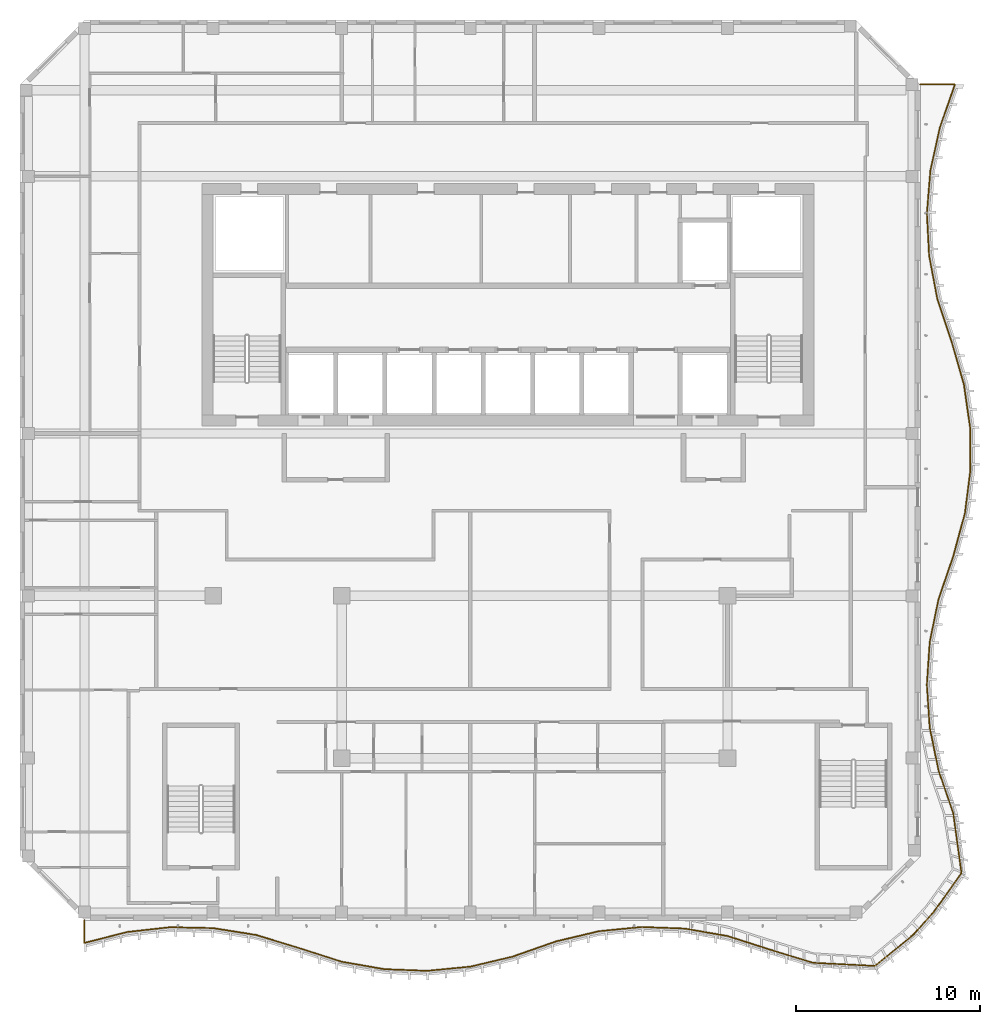
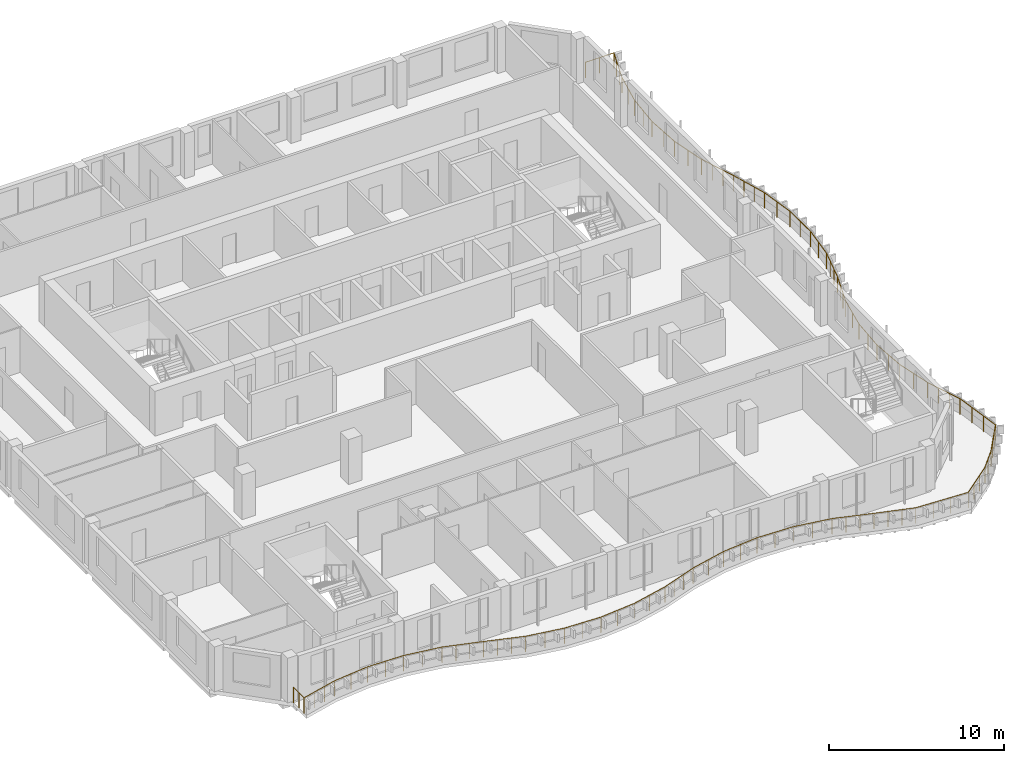
# One storey, part 14 of 16: 1 railing.
"""IFC4 building model written with IfcOpenShell, lengths in metres."""

from ifc_helpers import new_model, si_unit, direction, frame, origin, origin_2d, place, context, subcontext, project, spatial, circle, extrude, material, type_object, element, save


model = new_model("IFC4")

# Units and contexts
model_context = context("Model", 3, precision=1e-05, world=origin(), true_north=direction((0.0, 1.0)))
body_context = subcontext(model_context, "Body", "Model", "MODEL_VIEW")
ifc_project = project(units=[si_unit("LENGTHUNIT", "METRE"), si_unit("AREAUNIT", "SQUARE_METRE"), si_unit("VOLUMEUNIT", "CUBIC_METRE"), si_unit("PLANEANGLEUNIT", "RADIAN"), si_unit("MASSUNIT", "GRAM", prefix="KILO")], contexts=[model_context])

# Site, building, storey
site_placement = place(None, origin())
site = spatial("IfcSite", under=ifc_project, at=site_placement, CompositionType="ELEMENT")
building_placement = place(site_placement, origin())
building = spatial("IfcBuilding", under=site, at=building_placement, Name="Kilnfold Tower and Market Hall", CompositionType="ELEMENT")
storey_placement = place(building_placement, frame((0.0, 0.0, 284.0)))
storey = spatial("IfcBuildingStorey", under=building, at=storey_placement, Name="L70", CompositionType="ELEMENT", Elevation=284.0)

# Railing
ifc_material = material(Name="Stainless steel and laminated glass", Category="steel")
railing_type = type_object("IfcRailingType", Name="GUARD 1100", PredefinedType="GUARDRAIL", material=ifc_material)
railing_placement = place(storey_placement, frame((-22.0, -18.5, 0.0)))
element("IfcRailing", 1, at=railing_placement, inside=storey, type_object=railing_type, Name="Guard balcony L70", PredefinedType="GUARDRAIL", context=body_context, shape_type="SweptSolid", body=[
    extrude(circle(Radius=0.02490234375, at=origin_2d()), frame((0.0, 0.0, 1.0751953125), z_axis=(0.0, -1.0, 0.0), x_axis=(1.0, 0.0, 0.0)), (0.0, 0.0, 1.0), 1.22314453125),
    extrude(circle(Radius=0.02490234375, at=origin_2d()), frame((0.0, -1.22314453125, 1.0751953125), z_axis=(0.969210795342, 0.246232479972, 0.0), x_axis=(-0.246232479972, 0.969210795342, 0.0)), (0.0, 0.0, 1.0), 2.407470703125),
    extrude(circle(Radius=0.02490234375, at=origin_2d()), frame((2.333251953125, -0.63037109375, 1.0751953125), z_axis=(0.993711376548, 0.111971871997, 0.0), x_axis=(-0.111971871997, 0.993711376548, 0.0)), (0.0, 0.0, 1.0), 2.34814453125),
    extrude(circle(Radius=0.02490234375, at=origin_2d()), frame((4.666748046875, -0.367431640625, 1.0751953125), z_axis=(0.999751729978, -0.022281795384, 0.0), x_axis=(0.022281795384, 0.999751729978, 0.0)), (0.0, 0.0, 1.0), 2.333740234375),
    extrude(circle(Radius=0.02490234375, at=origin_2d()), frame((7.0, -0.41943359375, 1.0751953125), z_axis=(0.987667255848, -0.156567530879, 0.0), x_axis=(0.156567530879, 0.987667255848, 0.0)), (0.0, 0.0, 1.0), 2.3623046875),
    extrude(circle(Radius=0.02490234375, at=origin_2d()), frame((9.333251953125, -0.789306640625, 1.0751953125), z_axis=(0.956784132843, -0.290799111311, 0.0), x_axis=(0.290799111311, 0.956784132843, 0.0)), (0.0, 0.0, 1.0), 2.43896484375),
    extrude(circle(Radius=0.02490234375, at=origin_2d()), frame((11.666748046875, -1.49853515625, 1.0751953125), z_axis=(0.952112486546, -0.305747956598, 0.0), x_axis=(0.305747956598, 0.952112486546, 0.0)), (0.0, 0.0, 1.0), 2.45068359375),
    extrude(circle(Radius=0.02490234375, at=origin_2d()), frame((14.0, -2.247802734375, 1.0751953125), z_axis=(0.985126142804, -0.171832717386, 0.0), x_axis=(0.171832717386, 0.985126142804, 0.0)), (0.0, 0.0, 1.0), 2.368408203125),
    extrude(circle(Radius=0.02490234375, at=origin_2d()), frame((16.333251953125, -2.65478515625, 1.0751953125), z_axis=(0.999295362698, -0.03753369274, 0.0), x_axis=(0.03753369274, 0.999295362698, 0.0)), (0.0, 0.0, 1.0), 2.335205078125),
    extrude(circle(Radius=0.02490234375, at=origin_2d()), frame((18.666748046875, -2.742431640625, 1.0751953125), z_axis=(0.99531871754, 0.0966470409, 0.0), x_axis=(-0.0966470409, 0.99531871754, 0.0)), (0.0, 0.0, 1.0), 2.34423828125),
    extrude(circle(Radius=0.02490234375, at=origin_2d()), frame((21.0, -2.515869140625, 1.0751953125), z_axis=(0.972954571885, 0.23099653904, 0.0), x_axis=(-0.23099653904, 0.972954571885, 0.0)), (0.0, 0.0, 1.0), 2.398193359375),
    extrude(circle(Radius=0.02490234375, at=origin_2d()), frame((23.333251953125, -1.9619140625, 1.0751953125), z_axis=(0.943466814234, 0.33146699751, 0.0), x_axis=(-0.33146699751, 0.943466814234, 0.0)), (0.0, 0.0, 1.0), 2.473388671875),
    extrude(circle(Radius=0.02490234375, at=origin_2d()), frame((25.666748046875, -1.14208984375, 1.0751953125), z_axis=(0.972794199694, 0.231670984462, 0.0), x_axis=(-0.231670984462, 0.972794199694, 0.0)), (0.0, 0.0, 1.0), 2.3984375),
    extrude(circle(Radius=0.02490234375, at=origin_2d()), frame((28.0, -0.58642578125, 1.0751953125), z_axis=(0.995238235947, 0.097472322784, 0.0), x_axis=(-0.097472322784, 0.995238235947, 0.0)), (0.0, 0.0, 1.0), 2.344482421875),
    extrude(circle(Radius=0.02490234375, at=origin_2d()), frame((30.333251953125, -0.35791015625, 1.0751953125), z_axis=(0.999322546045, -0.036802839109, 0.0), x_axis=(0.036802839109, 0.999322546045, 0.0)), (0.0, 0.0, 1.0), 2.3349609375),
    extrude(circle(Radius=0.02490234375, at=origin_2d()), frame((32.666748046875, -0.44384765625, 1.0751953125), z_axis=(0.985248051256, -0.171132339132, 0.0), x_axis=(0.171132339132, 0.985248051256, 0.0)), (0.0, 0.0, 1.0), 2.3681640625),
    extrude(circle(Radius=0.02490234375, at=origin_2d()), frame((35.0, -0.84912109375, 1.0751953125), z_axis=(0.952344279723, -0.305025200401, 0.0), x_axis=(0.305025200401, 0.952344279723, 0.0)), (0.0, 0.0, 1.0), 2.449951171875),
    extrude(circle(Radius=0.02490234375, at=origin_2d()), frame((37.333251953125, -1.596435546875, 1.0751953125), z_axis=(0.956561089295, -0.291531957849, 0.0), x_axis=(0.291531957849, 0.956561089295, 0.0)), (0.0, 0.0, 1.0), 2.439453125),
    extrude(circle(Radius=0.02490234375, at=origin_2d()), frame((39.666748046875, -2.3076171875, 1.0751953125), z_axis=(0.998755414778, -0.049876060911, 0.0), x_axis=(0.049876060911, 0.998755414778, 0.0)), (0.0, 0.0, 1.0), 3.36279296875),
    extrude(circle(Radius=0.02490234375, at=origin_2d()), frame((43.025390625, -2.475341796875, 1.0751953125), z_axis=(0.775544431889, 0.631292985995, 0.0), x_axis=(-0.631292985995, 0.775544431889, 0.0)), (0.0, 0.0, 1.0), 2.689208984375),
    extrude(circle(Radius=0.02490234375, at=origin_2d()), frame((45.111083984375, -0.777587890625, 1.0751953125), z_axis=(0.669274920108, 0.743014859417, 0.0), x_axis=(-0.743014859417, 0.669274920108, 0.0)), (0.0, 0.0, 1.0), 1.652099609375),
    extrude(circle(Radius=0.02490234375, at=origin_2d()), frame((46.216796875, 0.449951171875, 1.0751953125), z_axis=(0.581255884594, 0.813720834577, 0.0), x_axis=(-0.813720834577, 0.581255884594, 0.0)), (0.0, 0.0, 1.0), 2.61083984375),
    extrude(circle(Radius=0.02490234375, at=origin_2d()), frame((47.734375, 2.574462890625, 1.0751953125), z_axis=(-0.136484199421, 0.990642247892, 0.0), x_axis=(-0.990642247892, -0.136484199421, 0.0)), (0.0, 0.0, 1.0), 3.28955078125),
    extrude(circle(Radius=0.02490234375, at=origin_2d()), frame((47.285400390625, 5.833251953125, 1.0751953125), z_axis=(-0.324675962181, 0.945825311346, 0.0), x_axis=(-0.945825311346, -0.324675962181, 0.0)), (0.0, 0.0, 1.0), 2.467041015625),
    extrude(circle(Radius=0.02490234375, at=origin_2d()), frame((46.484375, 8.166748046875, 1.0751953125), z_axis=(-0.200903789477, 0.979610977569, 0.0), x_axis=(-0.979610977569, -0.200903789477, 0.0)), (0.0, 0.0, 1.0), 2.3818359375),
    extrude(circle(Radius=0.02490234375, at=origin_2d()), frame((46.005859375, 10.5, 1.0751953125), z_axis=(-0.066609092458, 0.99777914831, 0.0), x_axis=(-0.99777914831, -0.066609092458, 0.0)), (0.0, 0.0, 1.0), 2.33837890625),
    extrude(circle(Radius=0.02490234375, at=origin_2d()), frame((45.85009765625, 12.833251953125, 1.0751953125), z_axis=(0.067641335737, 0.997709702118, 0.0), x_axis=(-0.997709702118, 0.067641335737, 0.0)), (0.0, 0.0, 1.0), 2.3388671875),
    extrude(circle(Radius=0.02490234375, at=origin_2d()), frame((46.00830078125, 15.166748046875, 1.0751953125), z_axis=(0.201887132384, 0.979408794007, 0.0), x_axis=(-0.979408794007, 0.201887132384, 0.0)), (0.0, 0.0, 1.0), 2.38232421875),
    extrude(circle(Radius=0.02490234375, at=origin_2d()), frame((46.4892578125, 17.5, 1.0751953125), z_axis=(0.325148902844, 0.945662831552, 0.0), x_axis=(-0.945662831552, 0.325148902844, 0.0)), (0.0, 0.0, 1.0), 2.46728515625),
    extrude(circle(Radius=0.02490234375, at=origin_2d()), frame((47.29150390625, 19.833251953125, 1.0751953125), z_axis=(0.260791998998, 0.965395014105, 0.0), x_axis=(-0.965395014105, 0.260791998998, 0.0)), (0.0, 0.0, 1.0), 2.417236328125),
    extrude(circle(Radius=0.02490234375, at=origin_2d()), frame((47.921875, 22.166748046875, 1.0751953125), z_axis=(0.12652541005, 0.991963366567, 0.0), x_axis=(-0.991963366567, 0.12652541005, 0.0)), (0.0, 0.0, 1.0), 2.35205078125),
    extrude(circle(Radius=0.02490234375, at=origin_2d()), frame((48.219482421875, 24.5, 1.0751953125), z_axis=(-0.007742783488, 0.999970024203, 0.0), x_axis=(-0.999970024203, -0.007742783488, 0.0)), (0.0, 0.0, 1.0), 2.333251953125),
    extrude(circle(Radius=0.02490234375, at=origin_2d()), frame((48.201416015625, 26.833251953125, 1.0751953125), z_axis=(-0.142088269079, 0.989853991147, 0.0), x_axis=(-0.989853991147, -0.142088269079, 0.0)), (0.0, 0.0, 1.0), 2.357421875),
    extrude(circle(Radius=0.02490234375, at=origin_2d()), frame((47.866455078125, 29.166748046875, 1.0751953125), z_axis=(-0.276248209535, 0.961086326366, 0.0), x_axis=(-0.961086326366, -0.276248209535, 0.0)), (0.0, 0.0, 1.0), 2.427734375),
    extrude(circle(Radius=0.02490234375, at=origin_2d()), frame((47.19580078125, 31.5, 1.0751953125), z_axis=(-0.31688269402, 0.948464737473, 0.0), x_axis=(-0.948464737473, -0.31688269402, 0.0)), (0.0, 0.0, 1.0), 2.4599609375),
    extrude(circle(Radius=0.02490234375, at=origin_2d()), frame((46.416259765625, 33.833251953125, 1.0751953125), z_axis=(-0.186361022834, 0.982481332733, 0.0), x_axis=(-0.982481332733, -0.186361022834, 0.0)), (0.0, 0.0, 1.0), 2.375),
    extrude(circle(Radius=0.02490234375, at=origin_2d()), frame((45.9736328125, 36.166748046875, 1.0751953125), z_axis=(-0.052037801365, 0.998645115759, 0.0), x_axis=(-0.998645115759, -0.052037801365, 0.0)), (0.0, 0.0, 1.0), 2.33642578125),
    extrude(circle(Radius=0.02490234375, at=origin_2d()), frame((45.85205078125, 38.5, 1.0751953125), z_axis=(0.082070220192, 0.996626549394, 0.0), x_axis=(-0.996626549394, 0.082070220192, 0.0)), (0.0, 0.0, 1.0), 2.341064453125),
    extrude(circle(Radius=0.02490234375, at=origin_2d()), frame((46.044189453125, 40.833251953125, 1.0751953125), z_axis=(0.216443743375, 0.976295091637, 0.0), x_axis=(-0.976295091637, 0.216443743375, 0.0)), (0.0, 0.0, 1.0), 2.39013671875),
    extrude(circle(Radius=0.02490234375, at=origin_2d()), frame((46.5615234375, 43.166748046875, 1.0751953125), z_axis=(0.329914803276, 0.944010711051, 0.0), x_axis=(-0.944010711051, 0.329914803276, 0.0)), (0.0, 0.0, 1.0), 2.4716796875),
    extrude(circle(Radius=0.02490234375, at=origin_2d()), frame((47.376953125, 45.5, 1.0751953125), z_axis=(-1.0, 0.0, 0.0), x_axis=(0.0, -1.0, 0.0)), (0.0, 0.0, 1.0), 1.876953125),
    extrude(circle(Radius=0.02490234375, at=origin_2d()), origin(), (0.0, 0.0, 1.0), 1.050048828125),
    extrude(circle(Radius=0.02490234375, at=origin_2d()), frame((0.0, -0.611572265625, 0.0)), (0.0, 0.0, 1.0), 1.050048828125),
    extrude(circle(Radius=0.02490234375, at=origin_2d()), frame((0.0, -1.22314453125, 0.0)), (0.0, 0.0, 1.0), 1.050048828125),
    extrude(circle(Radius=0.02490234375, at=origin_2d()), frame((0.77783203125, -1.025634765625, 0.0)), (0.0, 0.0, 1.0), 1.050048828125),
    extrude(circle(Radius=0.02490234375, at=origin_2d()), frame((1.555419921875, -0.827880859375, 0.0)), (0.0, 0.0, 1.0), 1.050048828125),
    extrude(circle(Radius=0.02490234375, at=origin_2d()), frame((2.333251953125, -0.63037109375, 0.0)), (0.0, 0.0, 1.0), 1.050048828125),
    extrude(circle(Radius=0.02490234375, at=origin_2d()), frame((3.5, -0.4990234375, 0.0)), (0.0, 0.0, 1.0), 1.050048828125),
    extrude(circle(Radius=0.02490234375, at=origin_2d()), frame((4.666748046875, -0.367431640625, 0.0)), (0.0, 0.0, 1.0), 1.050048828125),
    extrude(circle(Radius=0.02490234375, at=origin_2d()), frame((5.83349609375, -0.3935546875, 0.0)), (0.0, 0.0, 1.0), 1.050048828125),
    extrude(circle(Radius=0.02490234375, at=origin_2d()), frame((7.0, -0.41943359375, 0.0)), (0.0, 0.0, 1.0), 1.050048828125),
    extrude(circle(Radius=0.02490234375, at=origin_2d()), frame((8.16650390625, -0.6044921875, 0.0)), (0.0, 0.0, 1.0), 1.050048828125),
    extrude(circle(Radius=0.02490234375, at=origin_2d()), frame((9.333251953125, -0.789306640625, 0.0)), (0.0, 0.0, 1.0), 1.050048828125),
    extrude(circle(Radius=0.02490234375, at=origin_2d()), frame((10.111083984375, -1.025634765625, 0.0)), (0.0, 0.0, 1.0), 1.050048828125),
    extrude(circle(Radius=0.02490234375, at=origin_2d()), frame((10.888916015625, -1.26220703125, 0.0)), (0.0, 0.0, 1.0), 1.050048828125),
    extrude(circle(Radius=0.02490234375, at=origin_2d()), frame((11.666748046875, -1.49853515625, 0.0)), (0.0, 0.0, 1.0), 1.050048828125),
    extrude(circle(Radius=0.02490234375, at=origin_2d()), frame((12.444580078125, -1.748291015625, 0.0)), (0.0, 0.0, 1.0), 1.050048828125),
    extrude(circle(Radius=0.02490234375, at=origin_2d()), frame((13.22216796875, -1.998046875, 0.0)), (0.0, 0.0, 1.0), 1.050048828125),
    extrude(circle(Radius=0.02490234375, at=origin_2d()), frame((14.0, -2.247802734375, 0.0)), (0.0, 0.0, 1.0), 1.050048828125),
    extrude(circle(Radius=0.02490234375, at=origin_2d()), frame((15.16650390625, -2.451171875, 0.0)), (0.0, 0.0, 1.0), 1.050048828125),
    extrude(circle(Radius=0.02490234375, at=origin_2d()), frame((16.333251953125, -2.65478515625, 0.0)), (0.0, 0.0, 1.0), 1.050048828125),
    extrude(circle(Radius=0.02490234375, at=origin_2d()), frame((17.5, -2.69873046875, 0.0)), (0.0, 0.0, 1.0), 1.050048828125),
    extrude(circle(Radius=0.02490234375, at=origin_2d()), frame((18.666748046875, -2.742431640625, 0.0)), (0.0, 0.0, 1.0), 1.050048828125),
    extrude(circle(Radius=0.02490234375, at=origin_2d()), frame((19.83349609375, -2.629150390625, 0.0)), (0.0, 0.0, 1.0), 1.050048828125),
    extrude(circle(Radius=0.02490234375, at=origin_2d()), frame((21.0, -2.515869140625, 0.0)), (0.0, 0.0, 1.0), 1.050048828125),
    extrude(circle(Radius=0.02490234375, at=origin_2d()), frame((22.16650390625, -2.23876953125, 0.0)), (0.0, 0.0, 1.0), 1.050048828125),
    extrude(circle(Radius=0.02490234375, at=origin_2d()), frame((23.333251953125, -1.9619140625, 0.0)), (0.0, 0.0, 1.0), 1.050048828125),
    extrude(circle(Radius=0.02490234375, at=origin_2d()), frame((24.111083984375, -1.688720703125, 0.0)), (0.0, 0.0, 1.0), 1.050048828125),
    extrude(circle(Radius=0.02490234375, at=origin_2d()), frame((24.888916015625, -1.415283203125, 0.0)), (0.0, 0.0, 1.0), 1.050048828125),
    extrude(circle(Radius=0.02490234375, at=origin_2d()), frame((25.666748046875, -1.14208984375, 0.0)), (0.0, 0.0, 1.0), 1.050048828125),
    extrude(circle(Radius=0.02490234375, at=origin_2d()), frame((26.83349609375, -0.8642578125, 0.0)), (0.0, 0.0, 1.0), 1.050048828125),
    extrude(circle(Radius=0.02490234375, at=origin_2d()), frame((28.0, -0.58642578125, 0.0)), (0.0, 0.0, 1.0), 1.050048828125),
    extrude(circle(Radius=0.02490234375, at=origin_2d()), frame((29.16650390625, -0.47216796875, 0.0)), (0.0, 0.0, 1.0), 1.050048828125),
    extrude(circle(Radius=0.02490234375, at=origin_2d()), frame((30.333251953125, -0.35791015625, 0.0)), (0.0, 0.0, 1.0), 1.050048828125),
    extrude(circle(Radius=0.02490234375, at=origin_2d()), frame((31.5, -0.40087890625, 0.0)), (0.0, 0.0, 1.0), 1.050048828125),
    extrude(circle(Radius=0.02490234375, at=origin_2d()), frame((32.666748046875, -0.44384765625, 0.0)), (0.0, 0.0, 1.0), 1.050048828125),
    extrude(circle(Radius=0.02490234375, at=origin_2d()), frame((33.83349609375, -0.646484375, 0.0)), (0.0, 0.0, 1.0), 1.050048828125),
    extrude(circle(Radius=0.02490234375, at=origin_2d()), frame((35.0, -0.84912109375, 0.0)), (0.0, 0.0, 1.0), 1.050048828125),
    extrude(circle(Radius=0.02490234375, at=origin_2d()), frame((35.77783203125, -1.09814453125, 0.0)), (0.0, 0.0, 1.0), 1.050048828125),
    extrude(circle(Radius=0.02490234375, at=origin_2d()), frame((36.555419921875, -1.347412109375, 0.0)), (0.0, 0.0, 1.0), 1.050048828125),
    extrude(circle(Radius=0.02490234375, at=origin_2d()), frame((37.333251953125, -1.596435546875, 0.0)), (0.0, 0.0, 1.0), 1.050048828125),
    extrude(circle(Radius=0.02490234375, at=origin_2d()), frame((38.111083984375, -1.83349609375, 0.0)), (0.0, 0.0, 1.0), 1.050048828125),
    extrude(circle(Radius=0.02490234375, at=origin_2d()), frame((38.888916015625, -2.070556640625, 0.0)), (0.0, 0.0, 1.0), 1.050048828125),
    extrude(circle(Radius=0.02490234375, at=origin_2d()), frame((39.666748046875, -2.3076171875, 0.0)), (0.0, 0.0, 1.0), 1.050048828125),
    extrude(circle(Radius=0.02490234375, at=origin_2d()), frame((40.786376953125, -2.363525390625, 0.0)), (0.0, 0.0, 1.0), 1.050048828125),
    extrude(circle(Radius=0.02490234375, at=origin_2d()), frame((41.90576171875, -2.41943359375, 0.0)), (0.0, 0.0, 1.0), 1.050048828125),
    extrude(circle(Radius=0.02490234375, at=origin_2d()), frame((43.025390625, -2.475341796875, 0.0)), (0.0, 0.0, 1.0), 1.050048828125),
    extrude(circle(Radius=0.02490234375, at=origin_2d()), frame((43.720703125, -1.909423828125, 0.0)), (0.0, 0.0, 1.0), 1.050048828125),
    extrude(circle(Radius=0.02490234375, at=origin_2d()), frame((44.415771484375, -1.343505859375, 0.0)), (0.0, 0.0, 1.0), 1.050048828125),
    extrude(circle(Radius=0.02490234375, at=origin_2d()), frame((45.111083984375, -0.777587890625, 0.0)), (0.0, 0.0, 1.0), 1.050048828125),
    extrude(circle(Radius=0.02490234375, at=origin_2d()), frame((45.6640625, -0.163818359375, 0.0)), (0.0, 0.0, 1.0), 1.050048828125),
    extrude(circle(Radius=0.02490234375, at=origin_2d()), frame((46.216796875, 0.449951171875, 0.0)), (0.0, 0.0, 1.0), 1.050048828125),
    extrude(circle(Radius=0.02490234375, at=origin_2d()), frame((46.72265625, 1.158203125, 0.0)), (0.0, 0.0, 1.0), 1.050048828125),
    extrude(circle(Radius=0.02490234375, at=origin_2d()), frame((47.228515625, 1.8662109375, 0.0)), (0.0, 0.0, 1.0), 1.050048828125),
    extrude(circle(Radius=0.02490234375, at=origin_2d()), frame((47.734375, 2.574462890625, 0.0)), (0.0, 0.0, 1.0), 1.050048828125),
    extrude(circle(Radius=0.02490234375, at=origin_2d()), frame((47.584716796875, 3.66064453125, 0.0)), (0.0, 0.0, 1.0), 1.050048828125),
    extrude(circle(Radius=0.02490234375, at=origin_2d()), frame((47.43505859375, 4.7470703125, 0.0)), (0.0, 0.0, 1.0), 1.050048828125),
    extrude(circle(Radius=0.02490234375, at=origin_2d()), frame((47.285400390625, 5.833251953125, 0.0)), (0.0, 0.0, 1.0), 1.050048828125),
    extrude(circle(Radius=0.02490234375, at=origin_2d()), frame((47.018310546875, 6.611083984375, 0.0)), (0.0, 0.0, 1.0), 1.050048828125),
    extrude(circle(Radius=0.02490234375, at=origin_2d()), frame((46.75146484375, 7.388916015625, 0.0)), (0.0, 0.0, 1.0), 1.050048828125),
    extrude(circle(Radius=0.02490234375, at=origin_2d()), frame((46.484375, 8.166748046875, 0.0)), (0.0, 0.0, 1.0), 1.050048828125),
    extrude(circle(Radius=0.02490234375, at=origin_2d()), frame((46.2451171875, 9.33349609375, 0.0)), (0.0, 0.0, 1.0), 1.050048828125),
    extrude(circle(Radius=0.02490234375, at=origin_2d()), frame((46.005859375, 10.5, 0.0)), (0.0, 0.0, 1.0), 1.050048828125),
    extrude(circle(Radius=0.02490234375, at=origin_2d()), frame((45.927978515625, 11.66650390625, 0.0)), (0.0, 0.0, 1.0), 1.050048828125),
    extrude(circle(Radius=0.02490234375, at=origin_2d()), frame((45.85009765625, 12.833251953125, 0.0)), (0.0, 0.0, 1.0), 1.050048828125),
    extrude(circle(Radius=0.02490234375, at=origin_2d()), frame((45.92919921875, 14.0, 0.0)), (0.0, 0.0, 1.0), 1.050048828125),
    extrude(circle(Radius=0.02490234375, at=origin_2d()), frame((46.00830078125, 15.166748046875, 0.0)), (0.0, 0.0, 1.0), 1.050048828125),
    extrude(circle(Radius=0.02490234375, at=origin_2d()), frame((46.248779296875, 16.33349609375, 0.0)), (0.0, 0.0, 1.0), 1.050048828125),
    extrude(circle(Radius=0.02490234375, at=origin_2d()), frame((46.4892578125, 17.5, 0.0)), (0.0, 0.0, 1.0), 1.050048828125),
    extrude(circle(Radius=0.02490234375, at=origin_2d()), frame((46.756591796875, 18.27783203125, 0.0)), (0.0, 0.0, 1.0), 1.050048828125),
    extrude(circle(Radius=0.02490234375, at=origin_2d()), frame((47.024169921875, 19.055419921875, 0.0)), (0.0, 0.0, 1.0), 1.050048828125),
    extrude(circle(Radius=0.02490234375, at=origin_2d()), frame((47.29150390625, 19.833251953125, 0.0)), (0.0, 0.0, 1.0), 1.050048828125),
    extrude(circle(Radius=0.02490234375, at=origin_2d()), frame((47.501708984375, 20.611083984375, 0.0)), (0.0, 0.0, 1.0), 1.050048828125),
    extrude(circle(Radius=0.02490234375, at=origin_2d()), frame((47.711669921875, 21.388916015625, 0.0)), (0.0, 0.0, 1.0), 1.050048828125),
    extrude(circle(Radius=0.02490234375, at=origin_2d()), frame((47.921875, 22.166748046875, 0.0)), (0.0, 0.0, 1.0), 1.050048828125),
    extrude(circle(Radius=0.02490234375, at=origin_2d()), frame((48.07080078125, 23.33349609375, 0.0)), (0.0, 0.0, 1.0), 1.050048828125),
    extrude(circle(Radius=0.02490234375, at=origin_2d()), frame((48.219482421875, 24.5, 0.0)), (0.0, 0.0, 1.0), 1.050048828125),
    extrude(circle(Radius=0.02490234375, at=origin_2d()), frame((48.21044921875, 25.66650390625, 0.0)), (0.0, 0.0, 1.0), 1.050048828125),
    extrude(circle(Radius=0.02490234375, at=origin_2d()), frame((48.201416015625, 26.833251953125, 0.0)), (0.0, 0.0, 1.0), 1.050048828125),
    extrude(circle(Radius=0.02490234375, at=origin_2d()), frame((48.033935546875, 28.0, 0.0)), (0.0, 0.0, 1.0), 1.050048828125),
    extrude(circle(Radius=0.02490234375, at=origin_2d()), frame((47.866455078125, 29.166748046875, 0.0)), (0.0, 0.0, 1.0), 1.050048828125),
    extrude(circle(Radius=0.02490234375, at=origin_2d()), frame((47.642822265625, 29.944580078125, 0.0)), (0.0, 0.0, 1.0), 1.050048828125),
    extrude(circle(Radius=0.02490234375, at=origin_2d()), frame((47.41943359375, 30.72216796875, 0.0)), (0.0, 0.0, 1.0), 1.050048828125),
    extrude(circle(Radius=0.02490234375, at=origin_2d()), frame((47.19580078125, 31.5, 0.0)), (0.0, 0.0, 1.0), 1.050048828125),
    extrude(circle(Radius=0.02490234375, at=origin_2d()), frame((46.93603515625, 32.27783203125, 0.0)), (0.0, 0.0, 1.0), 1.050048828125),
    extrude(circle(Radius=0.02490234375, at=origin_2d()), frame((46.676025390625, 33.055419921875, 0.0)), (0.0, 0.0, 1.0), 1.050048828125),
    extrude(circle(Radius=0.02490234375, at=origin_2d()), frame((46.416259765625, 33.833251953125, 0.0)), (0.0, 0.0, 1.0), 1.050048828125),
    extrude(circle(Radius=0.02490234375, at=origin_2d()), frame((46.19482421875, 35.0, 0.0)), (0.0, 0.0, 1.0), 1.050048828125),
    extrude(circle(Radius=0.02490234375, at=origin_2d()), frame((45.9736328125, 36.166748046875, 0.0)), (0.0, 0.0, 1.0), 1.050048828125),
    extrude(circle(Radius=0.02490234375, at=origin_2d()), frame((45.912841796875, 37.33349609375, 0.0)), (0.0, 0.0, 1.0), 1.050048828125),
    extrude(circle(Radius=0.02490234375, at=origin_2d()), frame((45.85205078125, 38.5, 0.0)), (0.0, 0.0, 1.0), 1.050048828125),
    extrude(circle(Radius=0.02490234375, at=origin_2d()), frame((45.9482421875, 39.66650390625, 0.0)), (0.0, 0.0, 1.0), 1.050048828125),
    extrude(circle(Radius=0.02490234375, at=origin_2d()), frame((46.044189453125, 40.833251953125, 0.0)), (0.0, 0.0, 1.0), 1.050048828125),
    extrude(circle(Radius=0.02490234375, at=origin_2d()), frame((46.302734375, 42.0, 0.0)), (0.0, 0.0, 1.0), 1.050048828125),
    extrude(circle(Radius=0.02490234375, at=origin_2d()), frame((46.5615234375, 43.166748046875, 0.0)), (0.0, 0.0, 1.0), 1.050048828125),
    extrude(circle(Radius=0.02490234375, at=origin_2d()), frame((46.833251953125, 43.944580078125, 0.0)), (0.0, 0.0, 1.0), 1.050048828125),
    extrude(circle(Radius=0.02490234375, at=origin_2d()), frame((47.105224609375, 44.72216796875, 0.0)), (0.0, 0.0, 1.0), 1.050048828125),
    extrude(circle(Radius=0.02490234375, at=origin_2d()), frame((47.376953125, 45.5, 0.0)), (0.0, 0.0, 1.0), 1.050048828125),
    extrude(circle(Radius=0.02490234375, at=origin_2d()), frame((46.4384765625, 45.5, 0.0)), (0.0, 0.0, 1.0), 1.050048828125),
    extrude(circle(Radius=0.02490234375, at=origin_2d()), frame((45.5, 45.5, 0.0)), (0.0, 0.0, 1.0), 1.050048828125),
])

save(model, "model.ifc")
